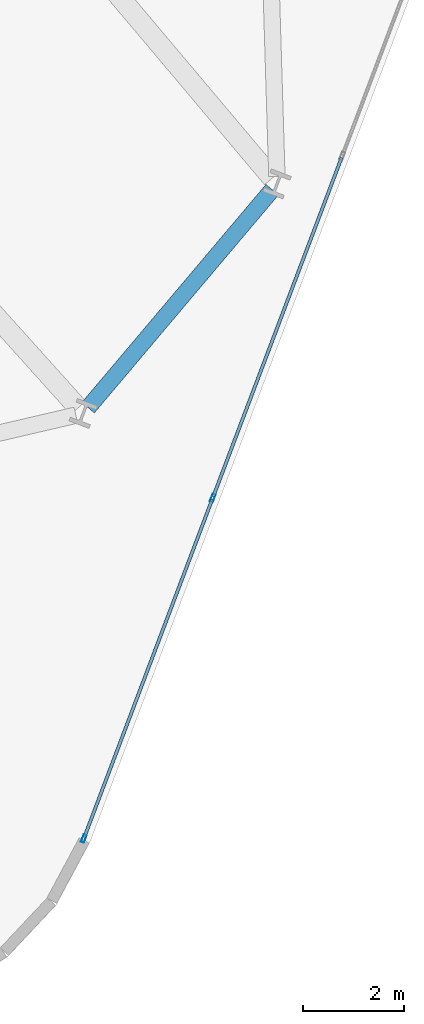
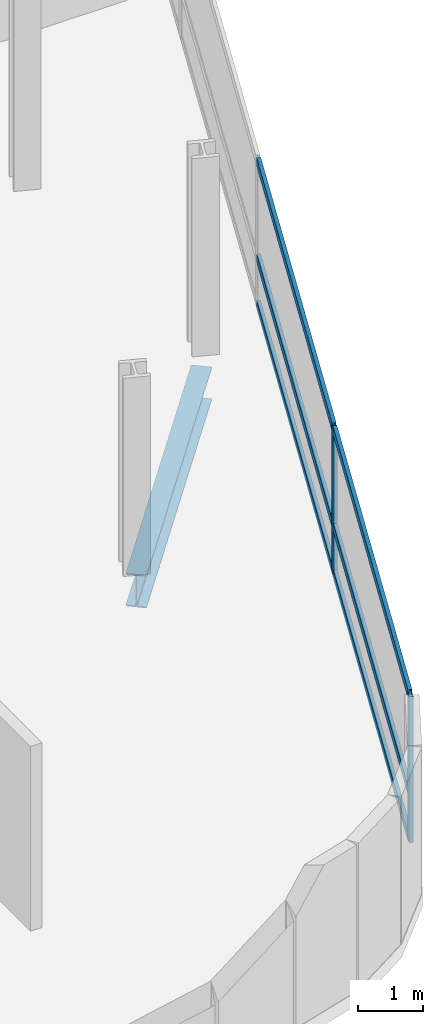
# One storey, part 10 of 25: 8 members, 1 beam, 1 element without a shape of its own.
"""IFC4 building model written with IfcOpenShell, lengths in metres."""

from ifc_helpers import new_model, si_unit, direction, frame, origin, origin_2d, place, context, subcontext, project, spatial, hollow_rectangle, i_section, extrude, material, layer, layer_set, material_profile, profile_set, type_object, element, aggregate, save


model = new_model("IFC4")

# Units and contexts
model_context = context("Model", 3, precision=1e-05, world=origin(), true_north=direction((0.0, 1.0)))
body_context = subcontext(model_context, "Body", "Model", "MODEL_VIEW")
ifc_project = project(units=[si_unit("LENGTHUNIT", "METRE"), si_unit("AREAUNIT", "SQUARE_METRE"), si_unit("VOLUMEUNIT", "CUBIC_METRE"), si_unit("PLANEANGLEUNIT", "RADIAN"), si_unit("MASSUNIT", "GRAM", prefix="KILO")], contexts=[model_context])

# Site, building, storey
site_placement = place(None, origin())
site = spatial("IfcSite", under=ifc_project, at=site_placement, CompositionType="ELEMENT")
building_placement = place(site_placement, origin())
building = spatial("IfcBuilding", under=site, at=building_placement, Name="Varnelok Gate Tower", CompositionType="ELEMENT")
storey_placement = place(building_placement, frame((0.0, 0.0, 83.60009765625)))
storey = spatial("IfcBuildingStorey", under=building, at=storey_placement, Name="L20", CompositionType="ELEMENT", Elevation=83.60009765625)

# Beam
ifc_material_1 = material(Name="Structural Steel ASTM A992 Grade 50", Category="steel")
ifc_material_profile_1 = material_profile(ifc_material_1, i_section(OverallWidth=0.323974609375, OverallDepth=0.611083984375, WebThickness=0.0126953125, FlangeThickness=0.01904296875, FilletRadius=0.01806640625, at=origin_2d()), Name="W24X104")
ifc_profile_set_1 = profile_set([ifc_material_profile_1], Name="Structural Steel ASTM A992 Grade 50")
beam_type = type_object("IfcBeamType", Name="BM-SPN-W24X104", PredefinedType="SPANDREL", material=ifc_profile_set_1)
beam_placement = place(storey_placement, frame((67.7333984375, 3.7421875, -0.5556640625), z_axis=(0.645380340265, 0.763861385592, 0.0), x_axis=(-0.763861385592, 0.645380340265, 0.0)))
element("IfcBeam", 1, at=beam_placement, inside=storey, type_object=beam_type, Name="L20 Perimeter Spandrel Beam 6", PredefinedType="SPANDREL", context=body_context, shape_type="SweptSolid", body=[
    extrude(i_section(OverallWidth=0.323974609375, OverallDepth=0.611083984375, WebThickness=0.0126953125, FlangeThickness=0.01904296875, FilletRadius=0.01806640625, at=origin_2d()), origin(), (0.0, 0.0, 1.0), 5.650146484375),
])

# Curtain wall, members
ifc_material_2 = material(Name="Anodized Aluminum Alloy 6063-T6", Category="aluminium")
ifc_layer = layer(ifc_material_2, 0.179931640625)
ifc_layer_set = layer_set([ifc_layer], Name="Anodized Aluminum Alloy 6063-T6")
curtain_wall_type = type_object("IfcCurtainWallType", Name="CW3-HOTEL-VISION", PredefinedType="USERDEFINED", material=ifc_layer_set)
curtain_wall_placement = place(storey_placement, origin())
curtain_wall = element("IfcCurtainWall", 2, at=curtain_wall_placement, inside=storey, type_object=curtain_wall_type, Name="L20 East End Vision Curtain Wall", ObjectType="UNITISED CURTAIN WALL", PredefinedType="USERDEFINED")
ifc_material_profile_2 = material_profile(ifc_material_2, hollow_rectangle(XDim=0.06494140625, YDim=0.159912109375, WallThickness=0.00390625, at=origin_2d()), Name="ALU160X65X4")
ifc_profile_set_2 = profile_set([ifc_material_profile_2], Name="Anodized Aluminum Alloy 6063-T6")
member_type_1 = type_object("IfcMemberType", Name="CW-MULL-160", PredefinedType="MULLION", material=ifc_profile_set_2)
member_1_placement = place(storey_placement, frame((70.201171875, 1.951171875, 0.0), z_axis=(0.0, 0.0, 1.0), x_axis=(0.935221323688, -0.354063660545, 0.0)))
member_1 = element("IfcMember", 3, at=member_1_placement, type_object=member_type_1, Name="CW3 mullion 5", PredefinedType="MULLION", context=body_context, shape_type="SweptSolid", body=[
    extrude(hollow_rectangle(XDim=0.06494140625, YDim=0.159912109375, WallThickness=0.00390625, at=origin_2d()), origin(), (0.0, 0.0, 1.0), 2.72998046875),
])
member_2_placement = place(storey_placement, frame((67.6494140625, -4.78955078125, 0.0), z_axis=(0.0, 0.0, 1.0), x_axis=(0.935221323688, -0.354063660545, 0.0)))
member_2 = element("IfcMember", 4, at=member_2_placement, type_object=member_type_1, Name="CW3 mullion 6", PredefinedType="MULLION", context=body_context, shape_type="SweptSolid", body=[
    extrude(hollow_rectangle(XDim=0.06494140625, YDim=0.159912109375, WallThickness=0.00390625, at=origin_2d()), origin(), (0.0, 0.0, 1.0), 2.72998046875),
])
ifc_material_profile_3 = material_profile(ifc_material_2, hollow_rectangle(XDim=0.06494140625, YDim=0.159912109375, WallThickness=0.00390625, at=origin_2d()), Name="ALU160X65X4")
ifc_profile_set_3 = profile_set([ifc_material_profile_3], Name="Anodized Aluminum Alloy 6063-T6")
member_type_2 = type_object("IfcMemberType", Name="CW-TRAN-160", PredefinedType="USERDEFINED", material=ifc_profile_set_3)
member_3_placement = place(storey_placement, frame((72.753173828125, 8.691650390625, 0.032470703125), z_axis=(-0.354078724634, -0.935215620465, 0.0), x_axis=(0.935215620465, -0.354078724634, 0.0)))
member_3 = element("IfcMember", 5, at=member_3_placement, type_object=member_type_2, Name="CW3 transom 4.1", ObjectType="TRANSOM", PredefinedType="USERDEFINED", context=body_context, shape_type="SweptSolid", body=[
    extrude(hollow_rectangle(XDim=0.06494140625, YDim=0.159912109375, WallThickness=0.00390625, at=origin_2d()), origin(), (0.0, 0.0, 1.0), 7.175048828125),
])
member_4_placement = place(storey_placement, frame((72.753173828125, 8.691650390625, 0.89990234375), z_axis=(-0.354078724634, -0.935215620465, 0.0), x_axis=(0.935215620465, -0.354078724634, 0.0)))
member_4 = element("IfcMember", 6, at=member_4_placement, type_object=member_type_2, Name="CW3 transom 4.2", ObjectType="TRANSOM", PredefinedType="USERDEFINED", context=body_context, shape_type="SweptSolid", body=[
    extrude(hollow_rectangle(XDim=0.06494140625, YDim=0.159912109375, WallThickness=0.00390625, at=origin_2d()), origin(), (0.0, 0.0, 1.0), 7.175048828125),
])
member_5_placement = place(storey_placement, frame((72.753173828125, 8.691650390625, 2.697509765625), z_axis=(-0.354078724634, -0.935215620465, 0.0), x_axis=(0.935215620465, -0.354078724634, 0.0)))
member_5 = element("IfcMember", 7, at=member_5_placement, type_object=member_type_2, Name="CW3 transom 4.3", ObjectType="TRANSOM", PredefinedType="USERDEFINED", context=body_context, shape_type="SweptSolid", body=[
    extrude(hollow_rectangle(XDim=0.06494140625, YDim=0.159912109375, WallThickness=0.00390625, at=origin_2d()), origin(), (0.0, 0.0, 1.0), 7.175048828125),
])
member_6_placement = place(storey_placement, frame((70.189697265625, 1.920654296875, 0.032470703125), z_axis=(-0.354058568643, -0.935223251406, 0.0), x_axis=(0.935223251406, -0.354058568643, 0.0)))
member_6 = element("IfcMember", 8, at=member_6_placement, type_object=member_type_2, Name="CW3 transom 5.1", ObjectType="TRANSOM", PredefinedType="USERDEFINED", context=body_context, shape_type="SweptSolid", body=[
    extrude(hollow_rectangle(XDim=0.06494140625, YDim=0.159912109375, WallThickness=0.00390625, at=origin_2d()), origin(), (0.0, 0.0, 1.0), 7.142333984375),
])
member_7_placement = place(storey_placement, frame((70.189697265625, 1.920654296875, 0.89990234375), z_axis=(-0.354058568643, -0.935223251406, 0.0), x_axis=(0.935223251406, -0.354058568643, 0.0)))
member_7 = element("IfcMember", 9, at=member_7_placement, type_object=member_type_2, Name="CW3 transom 5.2", ObjectType="TRANSOM", PredefinedType="USERDEFINED", context=body_context, shape_type="SweptSolid", body=[
    extrude(hollow_rectangle(XDim=0.06494140625, YDim=0.159912109375, WallThickness=0.00390625, at=origin_2d()), origin(), (0.0, 0.0, 1.0), 7.142333984375),
])
member_8_placement = place(storey_placement, frame((70.189697265625, 1.920654296875, 2.697509765625), z_axis=(-0.354058568643, -0.935223251406, 0.0), x_axis=(0.935223251406, -0.354058568643, 0.0)))
member_8 = element("IfcMember", 10, at=member_8_placement, type_object=member_type_2, Name="CW3 transom 5.3", ObjectType="TRANSOM", PredefinedType="USERDEFINED", context=body_context, shape_type="SweptSolid", body=[
    extrude(hollow_rectangle(XDim=0.06494140625, YDim=0.159912109375, WallThickness=0.00390625, at=origin_2d()), origin(), (0.0, 0.0, 1.0), 7.142333984375),
])
aggregate(curtain_wall, [member_1, member_2, member_3, member_4, member_5, member_6, member_7, member_8])

save(model, "model.ifc")
